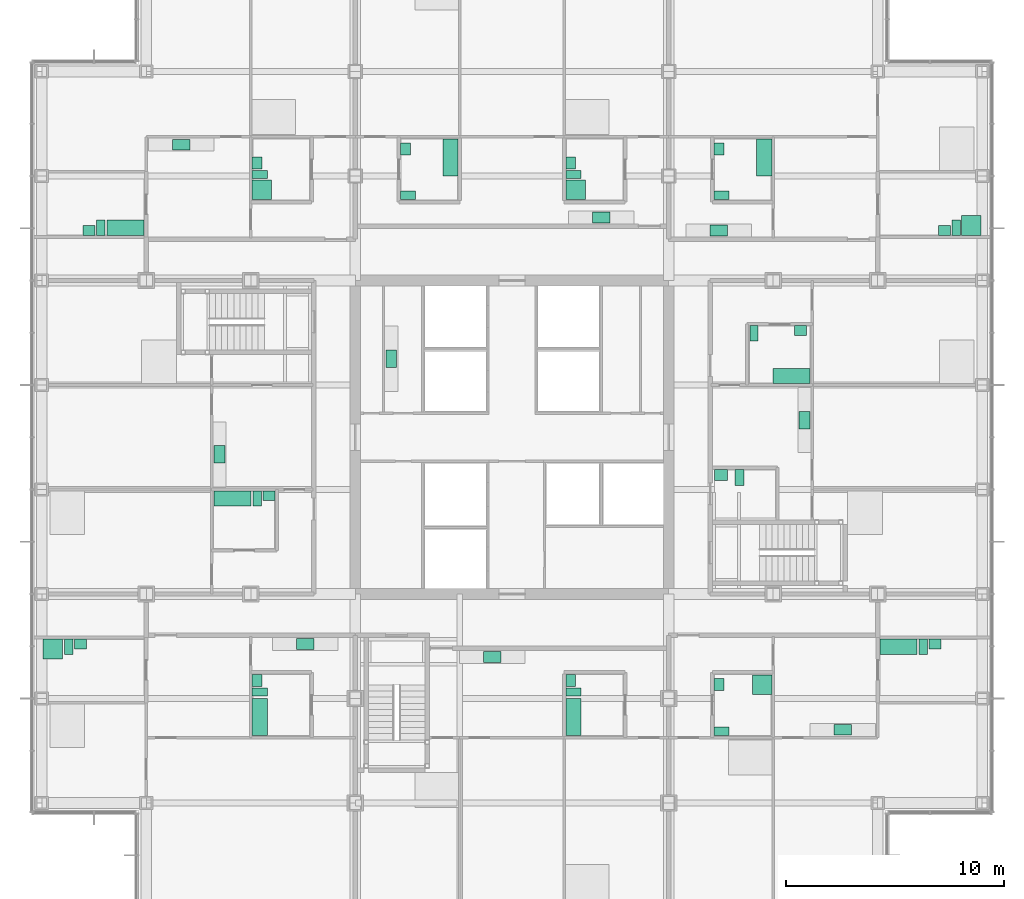
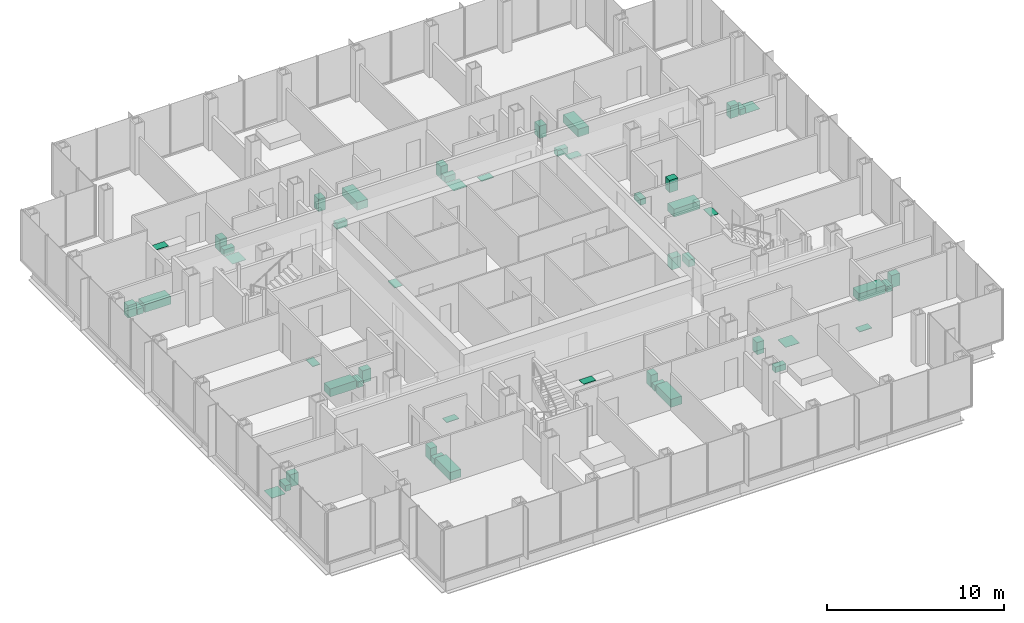
# One storey, part 20 of 21: 50 sanitary terminals.
"""IFC4 building model written with IfcOpenShell, lengths in metres."""

from ifc_helpers import new_model, si_unit, direction, frame, origin, origin_2d, place, context, subcontext, project, spatial, rectangle, extrude, material, type_object, element, save


model = new_model("IFC4")

# Units and contexts
model_context = context("Model", 3, precision=1e-05, world=origin(), true_north=direction((0.0, 1.0)))
body_context = subcontext(model_context, "Body", "Model", "MODEL_VIEW")
ifc_project = project(units=[si_unit("LENGTHUNIT", "METRE"), si_unit("AREAUNIT", "SQUARE_METRE"), si_unit("VOLUMEUNIT", "CUBIC_METRE"), si_unit("PLANEANGLEUNIT", "RADIAN"), si_unit("MASSUNIT", "GRAM", prefix="KILO")], contexts=[model_context])

# Site, building, storey
site_placement = place(None, origin())
site = spatial("IfcSite", under=ifc_project, at=site_placement, CompositionType="ELEMENT")
building_placement = place(site_placement, origin())
building = spatial("IfcBuilding", under=site, at=building_placement, Name="Kvirike Care Tower", CompositionType="ELEMENT")
storey_placement = place(building_placement, frame((0.0, 0.0, 65.5)))
storey = spatial("IfcBuildingStorey", under=building, at=storey_placement, Name="L17", CompositionType="ELEMENT", Elevation=65.5)

# Sanitary terminals
ifc_material_1 = material(Name="Vitreous china", Category="ceramic")
sanitary_terminal_type_1 = type_object("IfcSanitaryTerminalType", Name="ACCESSIBLE WASH BASIN 600 x 500", PredefinedType="WASHHANDBASIN", material=ifc_material_1)
sanitary_terminal_1_placement = place(storey_placement, frame((31.199951171875, 34.27294921875, 0.02001953125), z_axis=(0.0, 0.0, 1.0), x_axis=(1.0, 0.0, 0.0)))
element("IfcSanitaryTerminal", 1, at=sanitary_terminal_1_placement, inside=storey, type_object=sanitary_terminal_type_1, Name="Accessible wash basin L17-050", PredefinedType="WASHHANDBASIN", context=body_context, shape_type="SweptSolid", body=[
    extrude(rectangle(XDim=0.60009765625, YDim=0.5, at=origin_2d()), origin(), (0.0, 0.0, 1.0), 0.800048828125),
])
ifc_material_2 = material(Name="Vitreous china", Category="ceramic")
sanitary_terminal_type_2 = type_object("IfcSanitaryTerminalType", Name="ACCESSIBLE WC PAN 400 x 750", PredefinedType="TOILETPAN", material=ifc_material_2)
sanitary_terminal_2_placement = place(storey_placement, frame((32.050048828125, 34.14794921875, 0.02001953125), z_axis=(0.0, 0.0, 1.0), x_axis=(1.0, 0.0, 0.0)))
element("IfcSanitaryTerminal", 2, at=sanitary_terminal_2_placement, inside=storey, type_object=sanitary_terminal_type_2, Name="Accessible WC pan L17-050", PredefinedType="TOILETPAN", context=body_context, shape_type="SweptSolid", body=[
    extrude(rectangle(XDim=0.39990234375, YDim=0.75, at=origin_2d()), origin(), (0.0, 0.0, 1.0), 0.47998046875),
])
ifc_material_3 = material(Name="Enamelled steel", Category="steel")
sanitary_terminal_type_3 = type_object("IfcSanitaryTerminalType", Name="BATH 1700 x 700", PredefinedType="BATH", material=ifc_material_3)
for number, where, z_axis, x_axis, name in (
    (3, (10.011962890625, 23.159912109375, 0.02001953125), (0.0, 0.0, 1.0), (0.0, 1.0, 0.0), "Bath L17-005"),
    (4, (8.760009765625, 33.18798828125, 0.02001953125), (0.0, 0.0, 1.0), (1.0, 0.0, 0.0), "Bath L17-013"),
    (5, (3.85009765625, 45.626953125, 0.02001953125), (0.0, 0.0, 1.0), (-1.0, 0.0, 0.0), "Bath L17-021"),
    (6, (24.427001953125, 23.159912109375, 0.02001953125), (0.0, 0.0, 1.0), (0.0, 1.0, 0.0), "Bath L17-029"),
    (7, (18.77294921875, 48.840087890625, 0.02001953125), (0.0, 0.0, 1.0), (0.0, -1.0, 0.0), "Bath L17-036"),
    (8, (39.35009765625, 26.373046875, 0.02001953125), (0.0, 0.0, 1.0), (1.0, 0.0, 0.0), "Bath L17-042"),
    (9, (34.43994140625, 38.81201171875, 0.02001953125), (0.0, 0.0, 1.0), (-1.0, 0.0, 0.0), "Bath L17-051"),
    (10, (33.18798828125, 48.840087890625, 0.02001953125), (0.0, 0.0, 1.0), (0.0, -1.0, 0.0), "Bath L17-058"),
):
    element("IfcSanitaryTerminal", number, at=place(storey_placement, frame(where, z_axis=z_axis, x_axis=x_axis)), inside=storey, type_object=sanitary_terminal_type_3, Name=name, PredefinedType="BATH", context=body_context, shape_type="SweptSolid", body=[
        extrude(rectangle(XDim=1.699951171875, YDim=0.699951171875, at=origin_2d()), origin(), (0.0, 0.0, 1.0), 0.550048828125),
    ])
ifc_material_4 = material(Name="Stainless steel", Category="steel")
sanitary_terminal_type_4 = type_object("IfcSanitaryTerminalType", Name="KITCHEN SINK 800 x 500", PredefinedType="SINK", material=ifc_material_4)
for number, where, z_axis, x_axis, name in (
    (11, (12.110107421875, 26.498046875, 0.89990234375), (0.0, 0.0, 1.0), (1.0, 0.0, 0.0), "Kitchen sink L17-007"),
    (12, (8.162109375, 35.2099609375, 0.89990234375), (0.0, 0.0, 1.0), (0.0, 1.0, 0.0), "Kitchen sink L17-015"),
    (13, (6.409912109375, 49.43798828125, 0.89990234375), (0.0, 0.0, 1.0), (1.0, 0.0, 0.0), "Kitchen sink L17-023"),
    (14, (20.699951171875, 25.89794921875, 0.89990234375), (0.0, 0.0, 1.0), (1.0, 0.0, 0.0), "Kitchen sink L17-030"),
    (15, (25.699951171875, 46.10205078125, 0.89990234375), (0.0, 0.0, 1.0), (-1.0, 0.0, 0.0), "Kitchen sink L17-037"),
    (16, (36.7900390625, 22.56201171875, 0.89990234375), (0.0, 0.0, 1.0), (-1.0, 0.0, 0.0), "Kitchen sink L17-044"),
    (17, (35.0380859375, 36.7900390625, 0.89990234375), (0.0, 0.0, 1.0), (0.0, -1.0, 0.0), "Kitchen sink L17-052"),
    (18, (31.090087890625, 45.501953125, 0.89990234375), (0.0, 0.0, 1.0), (-1.0, 0.0, 0.0), "Kitchen sink L17-060"),
    (19, (16.052001953125, 39.60009765625, 0.89990234375), (0.0, 0.0, 1.0), (0.0, 1.0, 0.0), "Kitchen sink L17-067"),
):
    element("IfcSanitaryTerminal", number, at=place(storey_placement, frame(where, z_axis=z_axis, x_axis=x_axis)), inside=storey, type_object=sanitary_terminal_type_4, Name=name, PredefinedType="SINK", context=body_context, shape_type="SweptSolid", body=[
        extrude(rectangle(XDim=0.800048828125, YDim=0.5, at=origin_2d()), origin(), (0.0, 0.0, 1.0), 0.030029296875),
    ])
ifc_material_5 = material(Name="Stainless steel", Category="steel")
sanitary_terminal_type_5 = type_object("IfcSanitaryTerminalType", Name="LEVEL-ACCESS SHOWER 900 x 900", PredefinedType="SHOWER", material=ifc_material_5)
for number, where, z_axis, x_axis, name in (
    (20, (0.5, 26.27294921875, 0.02001953125), (0.0, 0.0, 1.0), (1.0, 0.0, 0.0), "Level-access shower L17-004"),
    (21, (10.112060546875, 47.375, 0.02001953125), (0.0, 0.0, 1.0), (0.0, 1.0, 0.0), "Level-access shower L17-020"),
    (22, (24.527099609375, 47.375, 0.02001953125), (0.0, 0.0, 1.0), (0.0, 1.0, 0.0), "Level-access shower L17-035"),
    (23, (33.087890625, 24.625, 0.02001953125), (0.0, 0.0, 1.0), (0.0, -1.0, 0.0), "Level-access shower L17-041"),
    (24, (42.699951171875, 45.72705078125, 0.02001953125), (0.0, 0.0, 1.0), (-1.0, 0.0, 0.0), "Level-access shower L17-057"),
):
    element("IfcSanitaryTerminal", number, at=place(storey_placement, frame(where, z_axis=z_axis, x_axis=x_axis)), inside=storey, type_object=sanitary_terminal_type_5, Name=name, PredefinedType="SHOWER", context=body_context, shape_type="SweptSolid", body=[
        extrude(rectangle(XDim=0.89990234375, YDim=0.89990234375, at=origin_2d()), origin(), (0.0, 0.0, 1.0), 0.02001953125),
    ])
ifc_material_6 = material(Name="Vitreous china", Category="ceramic")
sanitary_terminal_type_6 = type_object("IfcSanitaryTerminalType", Name="WASH BASIN 550 x 450", PredefinedType="WASHHANDBASIN", material=ifc_material_6)
for number, where, z_axis, x_axis, name in (
    (25, (1.77490234375, 26.498046875, 0.02001953125), (0.0, 0.0, 1.0), (1.0, 0.0, 0.0), "Wash basin L17-004"),
    (26, (9.886962890625, 24.8349609375, 0.02001953125), (0.0, 0.0, 1.0), (0.0, 1.0, 0.0), "Wash basin L17-005"),
    (27, (10.43505859375, 33.31298828125, 0.02001953125), (0.0, 0.0, 1.0), (1.0, 0.0, 0.0), "Wash basin L17-013"),
    (28, (9.886962890625, 48.60009765625, 0.02001953125), (0.0, 0.0, 1.0), (0.0, 1.0, 0.0), "Wash basin L17-020"),
    (29, (2.175048828125, 45.501953125, 0.02001953125), (0.0, 0.0, 1.0), (-1.0, 0.0, 0.0), "Wash basin L17-021"),
    (30, (24.302001953125, 24.8349609375, 0.02001953125), (0.0, 0.0, 1.0), (0.0, 1.0, 0.0), "Wash basin L17-029"),
    (31, (24.302001953125, 48.60009765625, 0.02001953125), (0.0, 0.0, 1.0), (0.0, 1.0, 0.0), "Wash basin L17-035"),
    (32, (16.701904296875, 49.25, 0.02001953125), (0.0, 0.0, 1.0), (0.0, 1.0, 0.0), "Wash basin L17-036"),
    (33, (31.10205078125, 24.635009765625, 0.02001953125), (0.0, 0.0, 1.0), (0.0, 1.0, 0.0), "Wash basin L17-041"),
    (34, (41.02490234375, 26.498046875, 0.02001953125), (0.0, 0.0, 1.0), (1.0, 0.0, 0.0), "Wash basin L17-042"),
    (35, (34.85009765625, 40.89794921875, 0.02001953125), (0.0, 0.0, 1.0), (1.0, 0.0, 0.0), "Wash basin L17-051"),
    (36, (41.47509765625, 45.501953125, 0.02001953125), (0.0, 0.0, 1.0), (-1.0, 0.0, 0.0), "Wash basin L17-057"),
    (37, (31.10205078125, 49.25, 0.02001953125), (0.0, 0.0, 1.0), (0.0, 1.0, 0.0), "Wash basin L17-058"),
):
    element("IfcSanitaryTerminal", number, at=place(storey_placement, frame(where, z_axis=z_axis, x_axis=x_axis)), inside=storey, type_object=sanitary_terminal_type_6, Name=name, PredefinedType="WASHHANDBASIN", context=body_context, shape_type="SweptSolid", body=[
        extrude(rectangle(XDim=0.550048828125, YDim=0.449951171875, at=origin_2d()), origin(), (0.0, 0.0, 1.0), 0.85009765625),
    ])
ifc_material_7 = material(Name="Vitreous china", Category="ceramic")
sanitary_terminal_type_7 = type_object("IfcSanitaryTerminalType", Name="WC PAN 380 x 700", PredefinedType="TOILETPAN", material=ifc_material_7)
for number, where, z_axis, x_axis, name in (
    (38, (1.239990234375, 26.373046875, 0.02001953125), (0.0, 0.0, 1.0), (1.0, 0.0, 0.0), "WC pan L17-004"),
    (39, (10.011962890625, 24.300048828125, 0.02001953125), (0.0, 0.0, 1.0), (0.0, 1.0, 0.0), "WC pan L17-005"),
    (40, (9.89990234375, 33.18798828125, 0.02001953125), (0.0, 0.0, 1.0), (1.0, 0.0, 0.0), "WC pan L17-013"),
    (41, (10.011962890625, 48.06494140625, 0.02001953125), (0.0, 0.0, 1.0), (0.0, 1.0, 0.0), "WC pan L17-020"),
    (42, (2.7099609375, 45.626953125, 0.02001953125), (0.0, 0.0, 1.0), (-1.0, 0.0, 0.0), "WC pan L17-021"),
    (43, (24.427001953125, 24.300048828125, 0.02001953125), (0.0, 0.0, 1.0), (0.0, 1.0, 0.0), "WC pan L17-029"),
    (44, (24.427001953125, 48.06494140625, 0.02001953125), (0.0, 0.0, 1.0), (0.0, 1.0, 0.0), "WC pan L17-035"),
    (45, (16.826904296875, 47.114990234375, 0.02001953125), (0.0, 0.0, 1.0), (0.0, 1.0, 0.0), "WC pan L17-036"),
    (46, (31.22705078125, 22.5, 0.02001953125), (0.0, 0.0, 1.0), (0.0, 1.0, 0.0), "WC pan L17-041"),
    (47, (40.489990234375, 26.373046875, 0.02001953125), (0.0, 0.0, 1.0), (1.0, 0.0, 0.0), "WC pan L17-042"),
    (48, (32.715087890625, 40.77294921875, 0.02001953125), (0.0, 0.0, 1.0), (1.0, 0.0, 0.0), "WC pan L17-051"),
    (49, (42.010009765625, 45.626953125, 0.02001953125), (0.0, 0.0, 1.0), (-1.0, 0.0, 0.0), "WC pan L17-057"),
    (50, (31.22705078125, 47.114990234375, 0.02001953125), (0.0, 0.0, 1.0), (0.0, 1.0, 0.0), "WC pan L17-058"),
):
    element("IfcSanitaryTerminal", number, at=place(storey_placement, frame(where, z_axis=z_axis, x_axis=x_axis)), inside=storey, type_object=sanitary_terminal_type_7, Name=name, PredefinedType="TOILETPAN", context=body_context, shape_type="SweptSolid", body=[
        extrude(rectangle(XDim=0.3798828125, YDim=0.699951171875, at=origin_2d()), origin(), (0.0, 0.0, 1.0), 0.39990234375),
    ])

save(model, "model.ifc")
